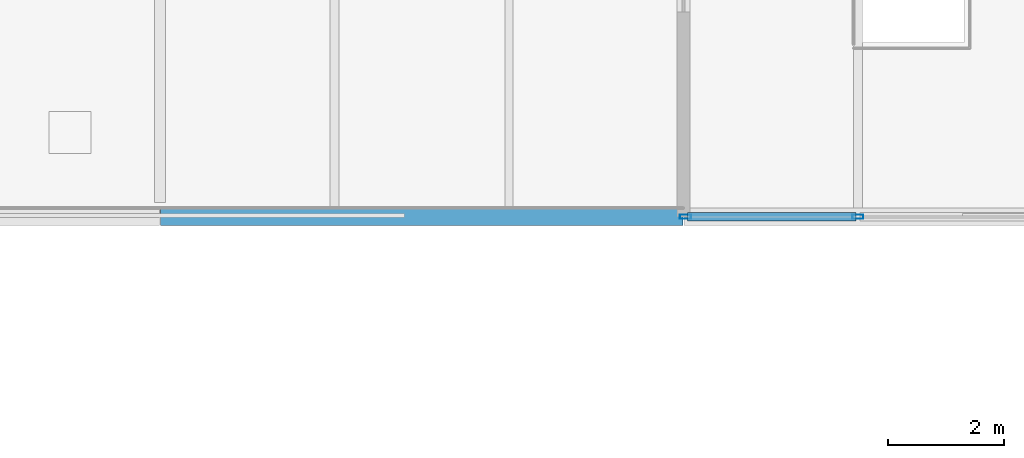
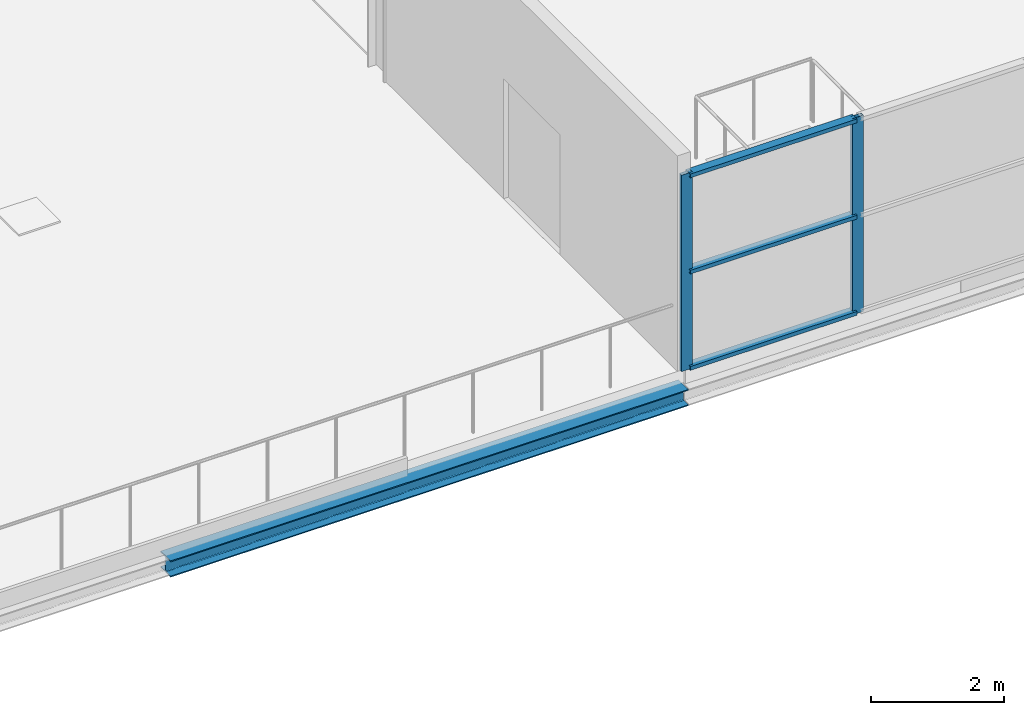
# One storey, part 17 of 88: 5 members, 1 beam, 1 element without a shape of its own.
"""IFC4 building model written with IfcOpenShell, lengths in metres."""

from ifc_helpers import new_model, si_unit, direction, frame, origin, origin_2d, place, context, subcontext, project, spatial, hollow_rectangle, i_section, extrude, material, layer, layer_set, material_profile, profile_set, type_object, element, aggregate, save


model = new_model("IFC4")

# Units and contexts
model_context = context("Model", 3, precision=1e-05, world=origin(), true_north=direction((0.0, 1.0)))
body_context = subcontext(model_context, "Body", "Model", "MODEL_VIEW")
ifc_project = project(units=[si_unit("LENGTHUNIT", "METRE"), si_unit("AREAUNIT", "SQUARE_METRE"), si_unit("VOLUMEUNIT", "CUBIC_METRE"), si_unit("PLANEANGLEUNIT", "RADIAN"), si_unit("MASSUNIT", "GRAM", prefix="KILO")], contexts=[model_context])

# Site, building, storey
site_placement = place(None, origin())
site = spatial("IfcSite", under=ifc_project, at=site_placement, CompositionType="ELEMENT")
building_placement = place(site_placement, origin())
building = spatial("IfcBuilding", under=site, at=building_placement, Name="Deido Ridge Mobility Hub", CompositionType="ELEMENT")
storey_placement = place(building_placement, frame((0.0, 0.0, 16.800048828125)))
storey = spatial("IfcBuildingStorey", under=building, at=storey_placement, Name="L04", CompositionType="ELEMENT", Elevation=16.800048828125)

# Curtain wall, members
ifc_material_1 = material(Name="Anodised aluminium EN AW-6063 T6", Category="aluminium")
ifc_layer = layer(ifc_material_1, 0.22509765625, Name="Anodised aluminium EN AW-6063 T6")
ifc_layer_set = layer_set([ifc_layer], Name="Anodised aluminium EN AW-6063 T6")
curtain_wall_type = type_object("IfcCurtainWallType", Name="CW-UF-5", PredefinedType="USERDEFINED", material=ifc_layer_set)
curtain_wall_placement = place(storey_placement, origin())
curtain_wall = element("IfcCurtainWall", 1, at=curtain_wall_placement, inside=storey, type_object=curtain_wall_type, Name="Unitised curtain wall CW5", ObjectType="UNITISED FACADE", PredefinedType="USERDEFINED")
ifc_material_profile_1 = material_profile(ifc_material_1, hollow_rectangle(XDim=0.070068359375, YDim=0.18994140625, WallThickness=0.00390625, at=origin_2d()), Name="RHS 70x190x4")
ifc_profile_set_1 = profile_set([ifc_material_profile_1], Name="Anodised aluminium EN AW-6063 T6")
member_type_1 = type_object("IfcMemberType", Name="MEM-MUL-70X190", PredefinedType="MULLION", material=ifc_profile_set_1)
member_1_placement = place(storey_placement, frame((72.034912109375, 36.0, 0.0), z_axis=(0.0, 0.0, 1.0), x_axis=(0.0, 1.0, 0.0)))
member_1 = element("IfcMember", 2, at=member_1_placement, type_object=member_type_1, Name="CW5 mullion 1", PredefinedType="MULLION", context=body_context, shape_type="SweptSolid", body=[
    extrude(hollow_rectangle(XDim=0.070068359375, YDim=0.18994140625, WallThickness=0.00390625, at=origin_2d()), origin(), (0.0, 0.0, 1.0), 3.599853515625),
])
member_2_placement = place(storey_placement, frame((75.0, 36.0, 0.0), z_axis=(0.0, 0.0, 1.0), x_axis=(0.0, 1.0, 0.0)))
member_2 = element("IfcMember", 3, at=member_2_placement, type_object=member_type_1, Name="CW5 mullion 2", PredefinedType="MULLION", context=body_context, shape_type="SweptSolid", body=[
    extrude(hollow_rectangle(XDim=0.070068359375, YDim=0.18994140625, WallThickness=0.00390625, at=origin_2d()), origin(), (0.0, 0.0, 1.0), 3.599853515625),
])
ifc_material_profile_2 = material_profile(ifc_material_1, hollow_rectangle(XDim=0.14501953125, YDim=0.070068359375, WallThickness=0.00390625, at=origin_2d()), Name="RHS 145x70x4")
ifc_profile_set_2 = profile_set([ifc_material_profile_2], Name="Anodised aluminium EN AW-6063 T6")
member_type_2 = type_object("IfcMemberType", Name="MEM-TRN-145X70", PredefinedType="USERDEFINED", material=ifc_profile_set_2)
member_3_placement = place(storey_placement, frame((72.070068359375, 36.0, 0.034912109375), z_axis=(1.0, 0.0, 0.0), x_axis=(0.0, 1.0, 0.0)))
member_3 = element("IfcMember", 4, at=member_3_placement, type_object=member_type_2, Name="CW5 transom 1.1", ObjectType="TRANSOM", PredefinedType="USERDEFINED", context=body_context, shape_type="SweptSolid", body=[
    extrude(hollow_rectangle(XDim=0.14501953125, YDim=0.070068359375, WallThickness=0.00390625, at=origin_2d()), origin(), (0.0, 0.0, 1.0), 2.89501953125),
])
member_4_placement = place(storey_placement, frame((72.070068359375, 36.0, 1.800048828125), z_axis=(1.0, 0.0, 0.0), x_axis=(0.0, 1.0, 0.0)))
member_4 = element("IfcMember", 5, at=member_4_placement, type_object=member_type_2, Name="CW5 transom 1.2", ObjectType="TRANSOM", PredefinedType="USERDEFINED", context=body_context, shape_type="SweptSolid", body=[
    extrude(hollow_rectangle(XDim=0.14501953125, YDim=0.070068359375, WallThickness=0.00390625, at=origin_2d()), origin(), (0.0, 0.0, 1.0), 2.89501953125),
])
member_5_placement = place(storey_placement, frame((72.070068359375, 36.0, 3.56494140625), z_axis=(1.0, 0.0, 0.0), x_axis=(0.0, 1.0, 0.0)))
member_5 = element("IfcMember", 6, at=member_5_placement, type_object=member_type_2, Name="CW5 transom 1.3", ObjectType="TRANSOM", PredefinedType="USERDEFINED", context=body_context, shape_type="SweptSolid", body=[
    extrude(hollow_rectangle(XDim=0.14501953125, YDim=0.070068359375, WallThickness=0.00390625, at=origin_2d()), origin(), (0.0, 0.0, 1.0), 2.89501953125),
])
aggregate(curtain_wall, [member_1, member_2, member_3, member_4, member_5])

# Beam
ifc_material_2 = material(Name="Steel S355J2 EN 10025-2", Category="steel")
ifc_material_profile_3 = material_profile(ifc_material_2, i_section(OverallWidth=0.300048828125, OverallDepth=0.300048828125, WebThickness=0.010986328125, FlangeThickness=0.01904296875, FilletRadius=0.027099609375, at=origin_2d()), Name="HEB 300")
ifc_profile_set_3 = profile_set([ifc_material_profile_3], Name="Steel S355J2 EN 10025-2")
beam_type = type_object("IfcBeamType", Name="SPD-HEB300", PredefinedType="SPANDREL", material=ifc_profile_set_3)
beam_placement = place(storey_placement, frame((63.007080078125, 36.0, -0.425048828125), z_axis=(1.0, 0.0, 0.0), x_axis=(0.0, 1.0, 0.0)))
element("IfcBeam", 7, at=beam_placement, inside=storey, type_object=beam_type, Name="Floor beam SP1", PredefinedType="SPANDREL", context=body_context, shape_type="SweptSolid", body=[
    extrude(i_section(OverallWidth=0.300048828125, OverallDepth=0.300048828125, WebThickness=0.010986328125, FlangeThickness=0.01904296875, FilletRadius=0.027099609375, at=origin_2d()), origin(), (0.0, 0.0, 1.0), 8.98583984375),
])

save(model, "model.ifc")
